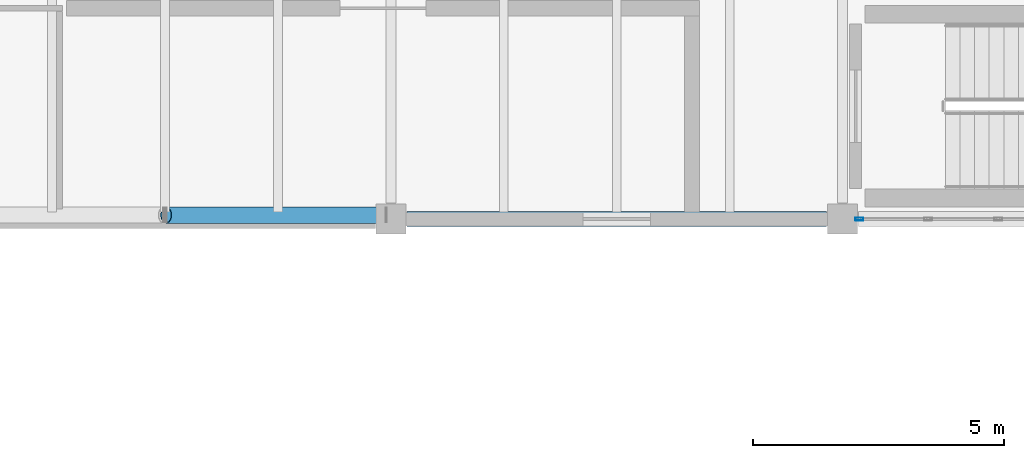
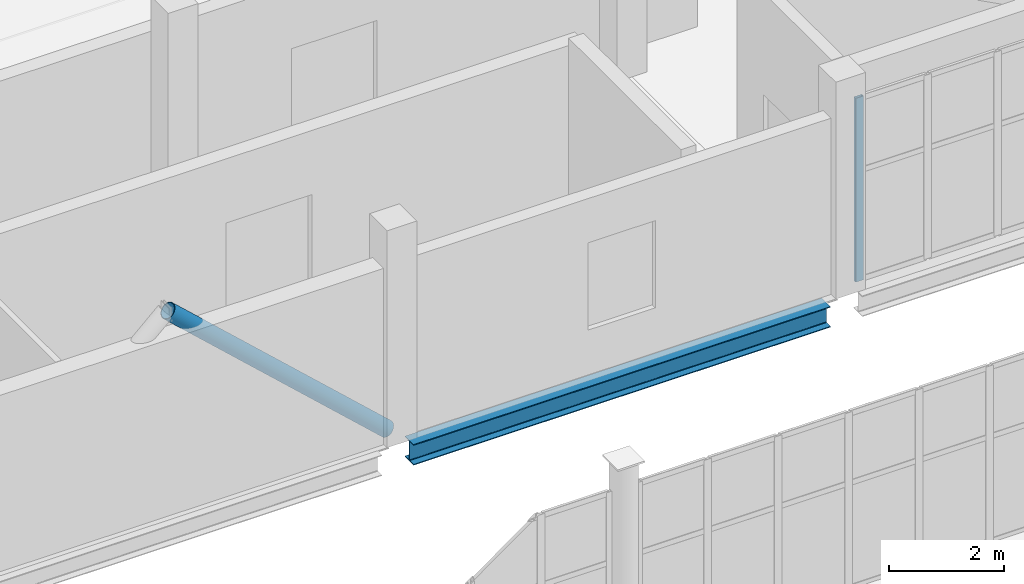
# One storey, part 88 of 136: 2 members, 1 beam, 1 element without a shape of its own.
"""IFC4 building model written with IfcOpenShell, lengths in metres."""

import ifcopenshell
import ifcopenshell.guid

model = None  # the IFC model being written
_history = None  # IfcOwnerHistory: only IFC2X3 demands one
_inside = {}  # id of a spatial element -> (the spatial element, [elements in it])
_under = {}  # id of a project, library or spatial element -> (it, [spatial elements below it])
_declared = {}  # id of a project -> (the project, [libraries it declares])
_typed = {}  # id of a type object -> (the type object, [elements of that type])
_made_of = {}  # id of a material, layer set ... -> (it, [elements and type objects made of it])


def new_model(schema):
    """Start an empty IFC model of exactly this schema.

    Asked for "IFC4X3", IfcOpenShell would pick the latest addendum, in which some entities
    have other attributes; the version numbers below select the first issue.
    IFC2X3 requires an IfcOwnerHistory on every rooted entity: one is made here for all.
    """
    global model, _history
    if schema == "IFC4X3":
        model = ifcopenshell.file(schema_version=(4, 3, 0, 0))
    else:
        model = ifcopenshell.file(schema=schema)
    _inside.clear()
    _under.clear()
    _declared.clear()
    _typed.clear()
    _made_of.clear()
    _history = None
    if model.schema == "IFC2X3":
        org = make("IfcOrganization", Name="unknown")
        user = make(
            "IfcPersonAndOrganization",
            ThePerson=make("IfcPerson", FamilyName="unknown"),
            TheOrganization=org,
        )
        app = make(
            "IfcApplication",
            ApplicationDeveloper=org,
            Version="unknown",
            ApplicationFullName="unknown",
            ApplicationIdentifier="unknown",
        )
        _history = make(
            "IfcOwnerHistory",
            OwningUser=user,
            OwningApplication=app,
            ChangeAction="ADDED",
            CreationDate=0,
        )
    return model


def make(cls, **values):
    """One entity of the class cls with the attributes given. An attribute that is None is left unset."""
    return model.create_entity(
        cls, **{name: value for name, value in values.items() if value is not None}
    )


def rooted(cls, **values):
    """An entity with a GlobalId (a new one), such as an element, a storey or a relation."""
    return make(cls, GlobalId=ifcopenshell.guid.new(), OwnerHistory=_history, **values)


def si_unit(unit_type, name, prefix=None):
    """IfcSIUnit, for example si_unit("LENGTHUNIT", "METRE", prefix="MILLI")."""
    return make("IfcSIUnit", UnitType=unit_type, Prefix=prefix, Name=name)


def assignment(units):
    """IfcUnitAssignment: the units of a project."""
    return None if units is None else make("IfcUnitAssignment", Units=units)


def point(xyz):
    """IfcCartesianPoint."""
    return None if xyz is None else make("IfcCartesianPoint", Coordinates=xyz)


def direction(xyz):
    """IfcDirection."""
    return None if xyz is None else make("IfcDirection", DirectionRatios=xyz)


def frame(location, z_axis=None, x_axis=None):
    """IfcAxis2Placement3D, a coordinate frame: its origin and axes. An axis left out is left unset."""
    return make(
        "IfcAxis2Placement3D",
        Location=point(location),
        Axis=direction(z_axis),
        RefDirection=direction(x_axis),
    )


def frame_2d(location, x_axis=None):
    """IfcAxis2Placement2D, a coordinate frame in the plane: its origin and x axis."""
    return make(
        "IfcAxis2Placement2D", Location=point(location), RefDirection=direction(x_axis)
    )


def origin():
    """The frame at (0, 0, 0) with its axes left unset."""
    return frame((0.0, 0.0, 0.0))


def origin_2d():
    """The frame at (0, 0) in the plane with its x axis left unset."""
    return frame_2d((0.0, 0.0))


def place(relative_to, where):
    """IfcLocalPlacement: puts the frame where relative to a parent placement (None: the world)."""
    return make(
        "IfcLocalPlacement", PlacementRelTo=relative_to, RelativePlacement=where
    )


def context(
    kind, dimensions, precision=None, world=None, true_north=None, identifier=None
):
    """IfcGeometricRepresentationContext, for example the 3D "Model" context."""
    return make(
        "IfcGeometricRepresentationContext",
        ContextIdentifier=identifier,
        ContextType=kind,
        CoordinateSpaceDimension=dimensions,
        Precision=precision,
        WorldCoordinateSystem=world,
        TrueNorth=true_north,
    )


def subcontext(parent, identifier, kind, view, scale=None):
    """IfcGeometricRepresentationSubContext, for example "Body" below "Model"."""
    return make(
        "IfcGeometricRepresentationSubContext",
        ContextIdentifier=identifier,
        ContextType=kind,
        ParentContext=parent,
        TargetScale=scale,
        TargetView=view,
    )


def project(units=None, contexts=None):
    """IfcProject with its units and contexts."""
    return rooted(
        "IfcProject",
        Name="project",
        RepresentationContexts=contexts,
        UnitsInContext=assignment(units),
    )


def spatial(cls, under=None, at=None, **own):
    """A site, building, storey or space (cls), placed at a placement, below another one or the project."""
    s = rooted(cls, ObjectPlacement=at, **own)
    if under is not None:
        _under.setdefault(under.id(), (under, []))[1].append(s)
    return s


def profile(cls, at=None, kind="AREA", **sizes):
    """A parametric profile (cls). Its sizes go by their IFC names, for example OverallWidth=200.0."""
    return make(cls, ProfileType=kind, Position=at, **sizes)


def hollow_rectangle(**sizes):
    """IfcRectangleHollowProfileDef."""
    return profile("IfcRectangleHollowProfileDef", **sizes)


def hollow_circle(**sizes):
    """IfcCircleHollowProfileDef."""
    return profile("IfcCircleHollowProfileDef", **sizes)


def i_section(**sizes):
    """IfcIShapeProfileDef."""
    return profile("IfcIShapeProfileDef", **sizes)


def extrude(swept, where, along, depth):
    """IfcExtrudedAreaSolid: the profile swept, set in the frame where, extruded along a direction by depth."""
    return make(
        "IfcExtrudedAreaSolid",
        SweptArea=swept,
        Position=where,
        ExtrudedDirection=direction(along),
        Depth=depth,
    )


def shape(context_of_items, identifier, shape_type, items):
    """IfcShapeRepresentation: the items that make up one representation, for example the "Body"."""
    return make(
        "IfcShapeRepresentation",
        ContextOfItems=context_of_items,
        RepresentationIdentifier=identifier,
        RepresentationType=shape_type,
        Items=items,
    )


def material(Name=None, Category=None):
    """IfcMaterial."""
    return make("IfcMaterial", Name=Name, Category=Category)


def material_profile(
    of_material, cross_section, Name=None, Category=None, Priority=None
):
    """IfcMaterialProfile: a cross section and its material."""
    return make(
        "IfcMaterialProfile",
        Name=Name,
        Material=of_material,
        Profile=cross_section,
        Priority=Priority,
        Category=Category,
    )


def profile_set(profiles, Name=None, composite=None):
    """IfcMaterialProfileSet."""
    return make(
        "IfcMaterialProfileSet",
        Name=Name,
        MaterialProfiles=profiles,
        CompositeProfile=composite,
    )


def made_of(thing, what):
    """Note that an element or type object is made of a material, layer set ...; save() writes the relation."""
    if what is not None:
        _made_of.setdefault(what.id(), (what, []))[1].append(thing)
    return thing


def type_object(cls, material=None, **own):
    """A type object (cls), such as IfcWallType, which elements share."""
    return made_of(rooted(cls, **own), material)


def element(
    cls,
    number,
    at=None,
    inside=None,
    cuts=None,
    type_object=None,
    material=None,
    context=None,
    identifier="Body",
    shape_type=None,
    held_by="IfcProductDefinitionShape",
    body=None,
    shapes=None,
    **own,
):
    """One element of the class cls, such as IfcWall. Its Tag is "e" and its number.

    at: its placement. inside: the storey or other place that contains it. cuts: it is an
    opening in that element (IfcRelVoidsElement). A single representation is given by context,
    identifier, shape_type and body (its items); several are given by shapes. held_by: the class
    of the entity that holds the representations. save() writes the other relations.
    """
    e = rooted(cls, Tag="e%d" % number, ObjectPlacement=at, **own)
    if body is not None:
        shapes = [shape(context, identifier, shape_type, body)]
    if shapes is not None:
        e.Representation = make(held_by, Representations=shapes)
    if inside is not None:
        _inside.setdefault(inside.id(), (inside, []))[1].append(e)
    if cuts is not None:
        rooted(
            "IfcRelVoidsElement", RelatingBuildingElement=cuts, RelatedOpeningElement=e
        )
    if type_object is not None:
        _typed.setdefault(type_object.id(), (type_object, []))[1].append(e)
    return made_of(e, material)


def aggregate(whole, parts):
    """IfcRelAggregates: a whole, such as a stair, and the parts it consists of."""
    return rooted("IfcRelAggregates", RelatingObject=whole, RelatedObjects=parts)


def save(model, path):
    """Write the relations noted so far, then the file.

    IfcRelAggregates (storeys below a building ...), IfcRelContainedInSpatialStructure (elements
    in a storey), IfcRelDefinesByType, IfcRelAssociatesMaterial and IfcRelDeclares: one each for
    every whole, place, type object, material and project.
    """
    for whole, parts in _under.values():
        aggregate(whole, parts)
    for where, things in _inside.values():
        rooted(
            "IfcRelContainedInSpatialStructure",
            RelatedElements=things,
            RelatingStructure=where,
        )
    for kind, things in _typed.values():
        rooted("IfcRelDefinesByType", RelatedObjects=things, RelatingType=kind)
    for what, things in _made_of.values():
        rooted("IfcRelAssociatesMaterial", RelatedObjects=things, RelatingMaterial=what)
    for by, libraries in _declared.values():
        rooted("IfcRelDeclares", RelatingContext=by, RelatedDefinitions=libraries)
    model.write(path)


model = new_model("IFC4")

# Units and contexts
model_context = context("Model", 3, precision=1e-05, world=origin(), true_north=direction((0.0, 1.0)))
body_context = subcontext(model_context, "Body", "Model", "MODEL_VIEW")
ifc_project = project(units=[si_unit("LENGTHUNIT", "METRE"), si_unit("AREAUNIT", "SQUARE_METRE"), si_unit("VOLUMEUNIT", "CUBIC_METRE"), si_unit("PLANEANGLEUNIT", "RADIAN"), si_unit("MASSUNIT", "GRAM", prefix="KILO")], contexts=[model_context])

# Site, building, storey
site_placement = place(None, origin())
site = spatial("IfcSite", under=ifc_project, at=site_placement, CompositionType="ELEMENT")
building_placement = place(site_placement, origin())
building = spatial("IfcBuilding", under=site, at=building_placement, Name="Shengluoqiao Park Theatre", CompositionType="ELEMENT")
storey_placement = place(building_placement, frame((0.0, 0.0, 10.0)))
storey = spatial("IfcBuildingStorey", under=building, at=storey_placement, Name="L02", CompositionType="ELEMENT", Elevation=10.0)

# Curtain wall, member
ifc_material_1 = material(Name="Aluminium 6063-T6", Category="aluminium")
curtain_wall_type = type_object("IfcCurtainWallType", Name="ENV-CW-CLERE", PredefinedType="NOTDEFINED", material=ifc_material_1)
curtain_wall_placement = place(storey_placement, origin())
curtain_wall = element("IfcCurtainWall", 1, at=curtain_wall_placement, inside=storey, type_object=curtain_wall_type, Name="L02 Curtain Wall CWX-L02-0189", PredefinedType="NOTDEFINED")
ifc_material_profile_1 = material_profile(ifc_material_1, hollow_rectangle(XDim=0.06005859375, YDim=0.159912109375, WallThickness=0.00390625, InnerFilletRadius=0.00390625, OuterFilletRadius=0.008056640625, at=origin_2d()), Name="ALU MULLION 160x60x4")
ifc_profile_set_1 = profile_set([ifc_material_profile_1], Name="Aluminium 6063-T6")
member_type_1 = type_object("IfcMemberType", Name="ENV-MUL-160", PredefinedType="MULLION", material=ifc_profile_set_1)
member_1_placement = place(storey_placement, frame((139.73388671875, 84.0, 0.0), z_axis=(0.0, 0.0, 1.0), x_axis=(0.0, 1.0, 0.0)))
member_1 = element("IfcMember", 2, at=member_1_placement, type_object=member_type_1, Name="CW-06 mullion 1", PredefinedType="MULLION", context=body_context, shape_type="SweptSolid", body=[
    extrude(hollow_rectangle(XDim=0.06005859375, YDim=0.159912109375, WallThickness=0.00390625, InnerFilletRadius=0.00390625, OuterFilletRadius=0.008056640625, at=origin_2d()), origin(), (0.0, 0.0, 1.0), 3.89794921875),
])
aggregate(curtain_wall, [member_1])

# Beam
ifc_material_2 = material(Name="Steel Q355", Category="steel")
ifc_material_profile_2 = material_profile(ifc_material_2, i_section(OverallWidth=0.300048828125, OverallDepth=0.43994140625, WebThickness=0.010986328125, FlangeThickness=0.01806640625, FilletRadius=0.02001953125, at=origin_2d()), Name="HM 440x300x11x18")
ifc_profile_set_2 = profile_set([ifc_material_profile_2], Name="Steel Q355")
beam_type = type_object("IfcBeamType", Name="STR-BM-G-HM440", PredefinedType="BEAM", material=ifc_profile_set_2)
beam_placement = place(storey_placement, frame((130.718994140625, 84.0, -0.4599609375), z_axis=(1.0, 0.0, 0.0), x_axis=(0.0, 1.0, 0.0)))
element("IfcBeam", 3, at=beam_placement, inside=storey, type_object=beam_type, Name="L02 Primary Girder 01055", PredefinedType="BEAM", context=body_context, shape_type="SweptSolid", body=[
    extrude(i_section(OverallWidth=0.300048828125, OverallDepth=0.43994140625, WebThickness=0.010986328125, FlangeThickness=0.01806640625, FilletRadius=0.02001953125, at=origin_2d()), origin(), (0.0, 0.0, 1.0), 8.362060546875),
])

# Member
ifc_material_profile_3 = material_profile(ifc_material_2, hollow_circle(Radius=0.16259765625, WallThickness=0.013916015625, at=origin_2d()), Name="CHS 325x14")
ifc_profile_set_3 = profile_set([ifc_material_profile_3], Name="Steel Q355")
member_type_2 = type_object("IfcMemberType", Name="STR-MEM-BRC-325", PredefinedType="BRACE", material=ifc_profile_set_3)
member_2_placement = place(storey_placement, frame((130.31005859375, 84.080078125, 0.102294921875), z_axis=(-0.735835523568, 0.0, 0.677160307649), x_axis=(0.0, -1.0, 0.0)))
element("IfcMember", 4, at=member_2_placement, inside=storey, type_object=member_type_2, Name="L02 Chevron Brace 0030", PredefinedType="BRACE", context=body_context, shape_type="SweptSolid", body=[
    extrude(hollow_circle(Radius=0.16259765625, WallThickness=0.013916015625, at=origin_2d()), origin(), (0.0, 0.0, 1.0), 5.962646484375),
])

save(model, "model.ifc")
